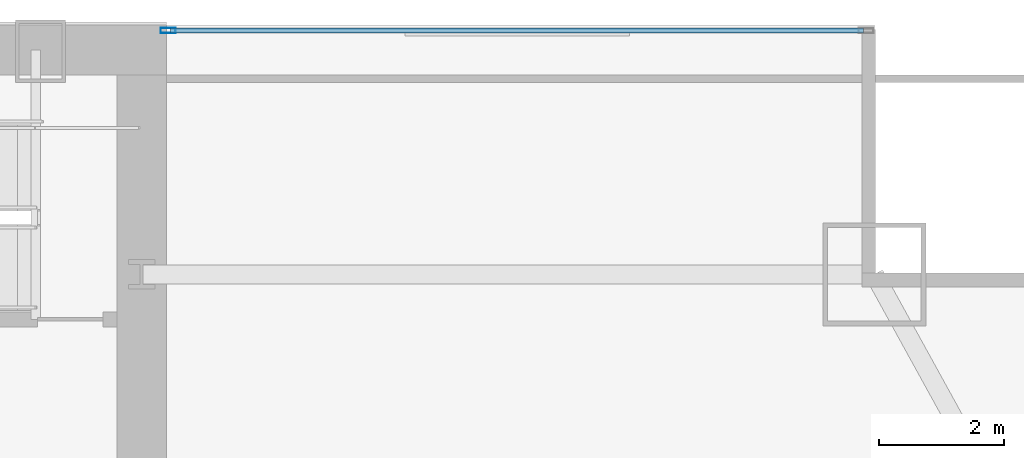
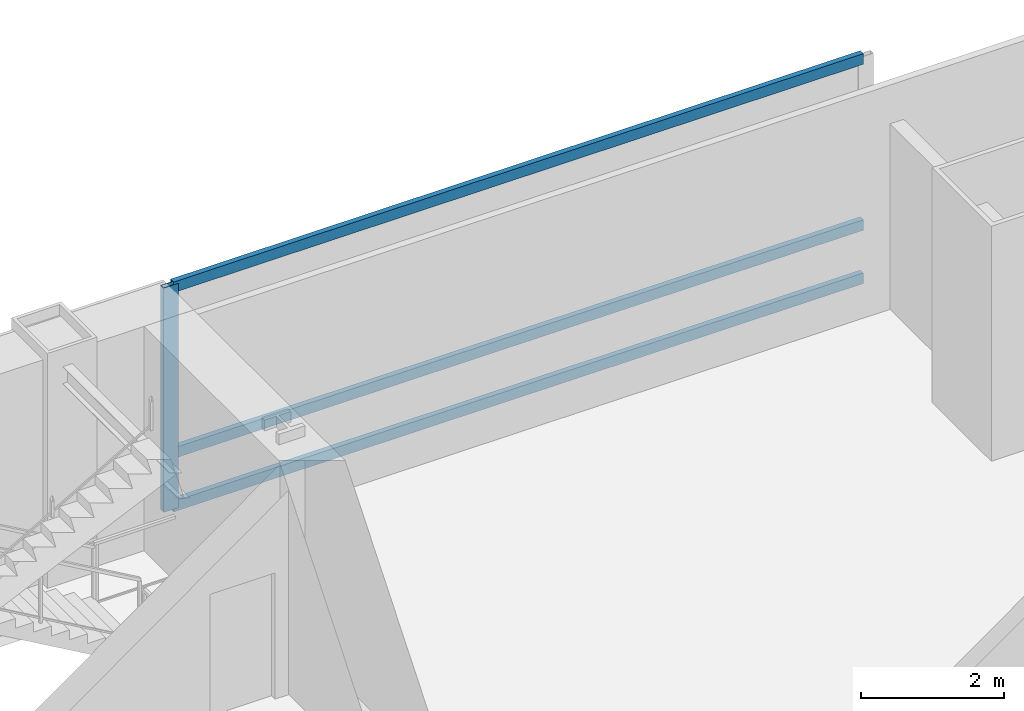
# One storey, part 20 of 33: 4 members, 1 element without a shape of its own.
"""IFC4 building model written with IfcOpenShell, lengths in metres."""

from ifc_helpers import new_model, si_unit, direction, frame, origin, origin_2d, place, context, subcontext, project, spatial, hollow_rectangle, extrude, material, material_profile, profile_set, type_object, element, aggregate, save


model = new_model("IFC4")

# Units and contexts
model_context = context("Model", 3, precision=1e-05, world=origin(), true_north=direction((0.0, 1.0)))
body_context = subcontext(model_context, "Body", "Model", "MODEL_VIEW")
ifc_project = project(units=[si_unit("LENGTHUNIT", "METRE"), si_unit("AREAUNIT", "SQUARE_METRE"), si_unit("VOLUMEUNIT", "CUBIC_METRE"), si_unit("PLANEANGLEUNIT", "RADIAN"), si_unit("MASSUNIT", "GRAM", prefix="KILO")], contexts=[model_context])

# Site, building, storey
site_placement = place(None, origin())
site = spatial("IfcSite", under=ifc_project, at=site_placement, CompositionType="ELEMENT")
building_placement = place(site_placement, origin())
building = spatial("IfcBuilding", under=site, at=building_placement, Name="Khoronbel Lancet Exchange", CompositionType="ELEMENT")
storey_placement = place(building_placement, frame((0.0, 0.0, 33.800048828125)))
storey = spatial("IfcBuildingStorey", under=building, at=storey_placement, Name="L07", CompositionType="ELEMENT", Elevation=33.800048828125)

# Curtain wall, members
ifc_material_1 = material(Name="Low-E Solar Control Insulating Glass", Category="glass")
curtain_wall_type = type_object("IfcCurtainWallType", Name="CW-1", PredefinedType="NOTDEFINED", material=ifc_material_1)
curtain_wall_placement = place(storey_placement, origin())
curtain_wall = element("IfcCurtainWall", 1, at=curtain_wall_placement, inside=storey, type_object=curtain_wall_type, Name="Unitised curtain wall CW-L07-NEFLK", PredefinedType="NOTDEFINED")
ifc_material_2 = material(Name="Bronze-Anodised Aluminium 6063-T6", Category="aluminium")
ifc_material_profile_1 = material_profile(ifc_material_2, hollow_rectangle(XDim=0.0849609375, YDim=0.239990234375, WallThickness=0.006103515625, at=origin_2d()), Name="ALU MULLION 85x240")
ifc_profile_set_1 = profile_set([ifc_material_profile_1], Name="Bronze-Anodised Aluminium 6063-T6")
member_type_1 = type_object("IfcMemberType", Name="MEM-CWM1", PredefinedType="MULLION", material=ifc_profile_set_1)
member_1_placement = place(storey_placement, frame((56.722412109375, 53.610107421875, 0.0), z_axis=(0.0, 0.0, 1.0), x_axis=(0.0, -1.0, 0.0)))
member_1 = element("IfcMember", 2, at=member_1_placement, type_object=member_type_1, Name="CW1 mullion 2", PredefinedType="MULLION", context=body_context, shape_type="SweptSolid", body=[
    extrude(hollow_rectangle(XDim=0.0849609375, YDim=0.239990234375, WallThickness=0.006103515625, at=origin_2d()), origin(), (0.0, 0.0, 1.0), 3.820068359375),
])
ifc_material_profile_2 = material_profile(ifc_material_2, hollow_rectangle(XDim=0.0849609375, YDim=0.179931640625, WallThickness=0.0048828125, at=origin_2d()), Name="ALU TRANSOM 85x180")
ifc_profile_set_2 = profile_set([ifc_material_profile_2], Name="Bronze-Anodised Aluminium 6063-T6")
member_type_2 = type_object("IfcMemberType", Name="MEM-CWT1", PredefinedType="USERDEFINED", material=ifc_profile_set_2)
member_2_placement = place(storey_placement, frame((67.875, 53.610107421875, 0.04248046875), z_axis=(-1.0, 0.0, 0.0), x_axis=(0.0, -1.0, 0.0)))
member_2 = element("IfcMember", 3, at=member_2_placement, type_object=member_type_2, Name="CW1 transom 1.1", ObjectType="TRANSOM", PredefinedType="USERDEFINED", context=body_context, shape_type="SweptSolid", body=[
    extrude(hollow_rectangle(XDim=0.0849609375, YDim=0.179931640625, WallThickness=0.0048828125, at=origin_2d()), origin(), (0.0, 0.0, 1.0), 11.110107421875),
])
member_3_placement = place(storey_placement, frame((67.875, 53.610107421875, 0.949951171875), z_axis=(-1.0, 0.0, 0.0), x_axis=(0.0, -1.0, 0.0)))
member_3 = element("IfcMember", 4, at=member_3_placement, type_object=member_type_2, Name="CW1 transom 1.2", ObjectType="TRANSOM", PredefinedType="USERDEFINED", context=body_context, shape_type="SweptSolid", body=[
    extrude(hollow_rectangle(XDim=0.0849609375, YDim=0.179931640625, WallThickness=0.0048828125, at=origin_2d()), origin(), (0.0, 0.0, 1.0), 11.110107421875),
])
member_4_placement = place(storey_placement, frame((67.875, 53.610107421875, 3.77734375), z_axis=(-1.0, 0.0, 0.0), x_axis=(0.0, -1.0, 0.0)))
member_4 = element("IfcMember", 5, at=member_4_placement, type_object=member_type_2, Name="CW1 transom 1.3", ObjectType="TRANSOM", PredefinedType="USERDEFINED", context=body_context, shape_type="SweptSolid", body=[
    extrude(hollow_rectangle(XDim=0.0849609375, YDim=0.179931640625, WallThickness=0.0048828125, at=origin_2d()), origin(), (0.0, 0.0, 1.0), 11.110107421875),
])
aggregate(curtain_wall, [member_1, member_2, member_3, member_4])

save(model, "model.ifc")
